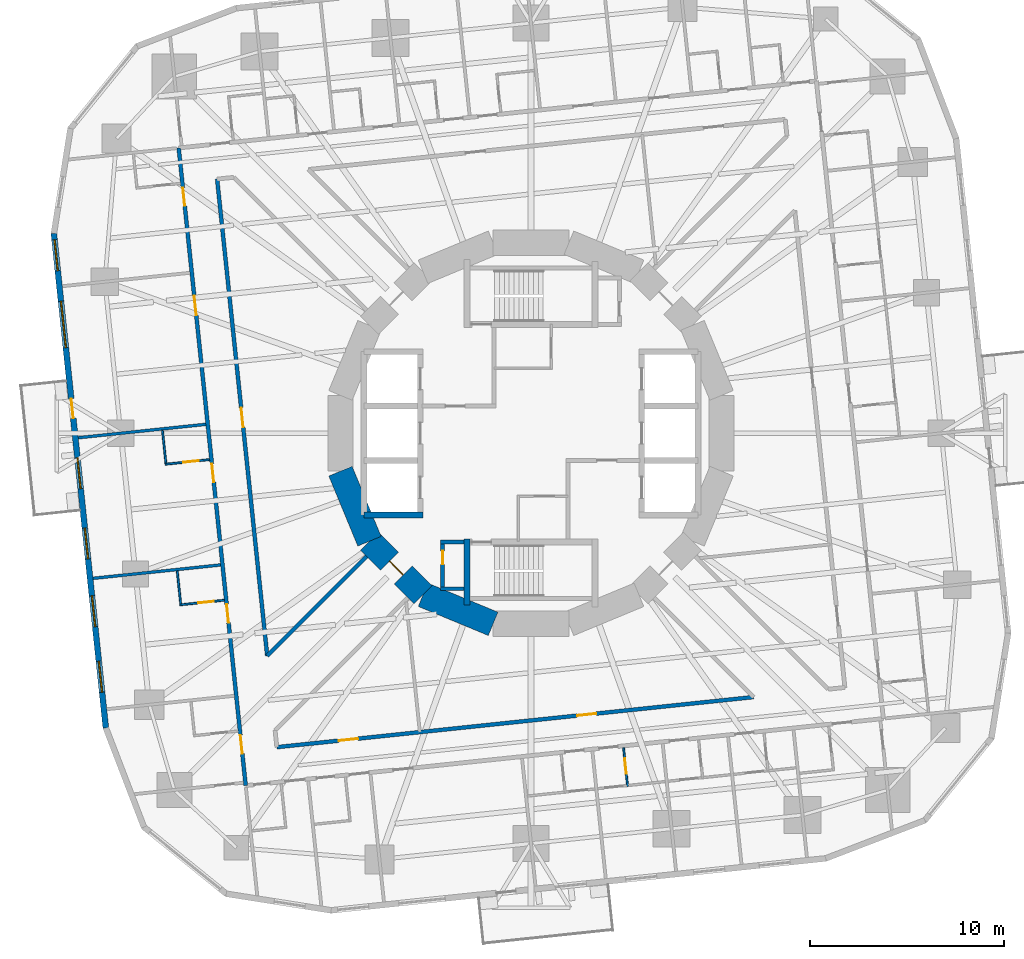
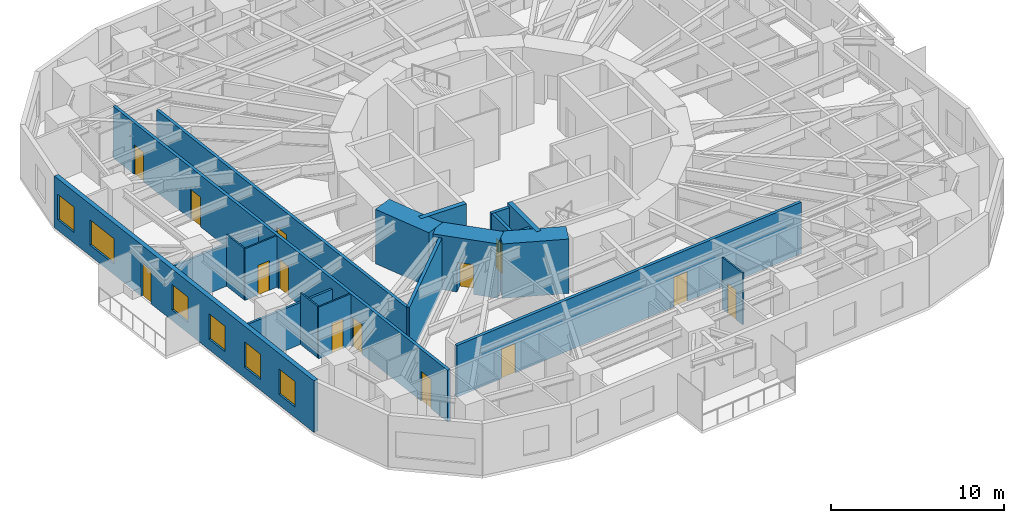
# One storey, part 6 of 13: 20 walls, 14 doors, 6 windows, 20 openings.
"""IFC4 building model written with IfcOpenShell, lengths in metres."""

from ifc_helpers import new_model, si_unit, direction, frame, frame_2d, origin, place, context, subcontext, project, spatial, rectangle, extrude, material, layer, layer_set, type_object, element, fill, save


model = new_model("IFC4")

# Units and contexts
model_context = context("Model", 3, precision=1e-05, world=origin(), true_north=direction((0.0, 1.0)))
body_context = subcontext(model_context, "Body", "Model", "MODEL_VIEW")
ifc_project = project(units=[si_unit("LENGTHUNIT", "METRE"), si_unit("AREAUNIT", "SQUARE_METRE"), si_unit("VOLUMEUNIT", "CUBIC_METRE"), si_unit("PLANEANGLEUNIT", "RADIAN"), si_unit("MASSUNIT", "GRAM", prefix="KILO")], contexts=[model_context])

# Site, building, storey
site_placement = place(None, origin())
site = spatial("IfcSite", under=ifc_project, at=site_placement, CompositionType="ELEMENT")
building_placement = place(site_placement, origin())
building = spatial("IfcBuilding", under=site, at=building_placement, Name="Nakasero Lantern House", CompositionType="ELEMENT")
storey_placement = place(building_placement, frame((0.0, 0.0, 75.89990234375)))
storey = spatial("IfcBuildingStorey", under=building, at=storey_placement, Name="L18", CompositionType="ELEMENT", Elevation=75.89990234375)

# Walls
ifc_material_1 = material(Name="Concrete C50/60", Category="concrete")
ifc_layer_1 = layer(ifc_material_1, 0.300048828125)
ifc_layer_set_1 = layer_set([ifc_layer_1], Name="Core inner wall 300")
wall_type_1 = type_object("IfcWallType", Name="Core inner wall 300", PredefinedType="SHEAR", material=ifc_layer_set_1)
wall_1_placement = place(storey_placement, frame((-8.60009765625, -4.199951171875, 0.0), z_axis=(0.0, 0.0, 1.0), x_axis=(1.0, 0.0, 0.0)))
element("IfcWall", 1, at=wall_1_placement, inside=storey, type_object=wall_type_1, Name="Core inner wall L18 LWS", PredefinedType="SHEAR", context=body_context, shape_type="SweptSolid", body=[
    extrude(rectangle(XDim=3.050048828125, YDim=0.300048828125, at=frame_2d((1.52490234375, 0.0))), origin(), (0.0, 0.0, 1.0), 3.85009765625),
])
wall_2_placement = place(storey_placement, frame((-3.300048828125, -5.449951171875, 0.0), z_axis=(0.0, 0.0, 1.0), x_axis=(0.0, -1.0, 0.0)))
element("IfcWall", 2, at=wall_2_placement, inside=storey, type_object=wall_type_1, Name="Core inner wall L18 SSW", PredefinedType="SHEAR", context=body_context, shape_type="SweptSolid", body=[
    extrude(rectangle(XDim=3.400146484375, YDim=0.300048828125, at=frame_2d((1.7001953125, 0.0))), origin(), (0.0, 0.0, 1.0), 3.85009765625),
])
ifc_material_2 = material(Name="Concrete C50/60", Category="concrete")
ifc_layer_2 = layer(ifc_material_2, 1.300048828125)
ifc_layer_set_2 = layer_set([ifc_layer_2], Name="Core wall 1300")
wall_type_2 = type_object("IfcWallType", Name="Core wall 1300", PredefinedType="SHEAR", material=ifc_layer_set_2)
wall_3_placement = place(storey_placement, frame((-9.807861328125, -1.950927734375, 0.0), z_axis=(0.0, 0.0, 1.0), x_axis=(0.382690736062, -0.923876507187, 0.0)))
element("IfcWall", 3, at=wall_3_placement, inside=storey, type_object=wall_type_2, Name="Core wall L18 facet 9", PredefinedType="SHEAR", context=body_context, shape_type="SweptSolid", body=[
    extrude(rectangle(XDim=3.90185546875, YDim=1.300048828125, at=frame_2d((1.950927734375, 0.0))), origin(), (0.0, 0.0, 1.0), 3.85009765625),
])

# Wall, opening, door
wall_4_placement = place(storey_placement, frame((-8.314697265625, -5.5556640625, 0.0), z_axis=(0.0, 0.0, 1.0), x_axis=(0.707106781187, -0.707106781187, 0.0)))
wall_4 = element("IfcWall", 4, at=wall_4_placement, inside=storey, type_object=wall_type_2, Name="Core wall L18 facet 10", PredefinedType="SHEAR", context=body_context, shape_type="SweptSolid", body=[
    extrude(rectangle(XDim=3.90185546875, YDim=1.300048828125, at=frame_2d((1.950927734375, 0.0))), origin(), (0.0, 0.0, 1.0), 3.85009765625),
])
opening_1_placement = place(wall_4_placement, frame((1.450927734375, 0.0, 0.0)))
opening_1 = element("IfcOpeningElement", 5, at=opening_1_placement, cuts=wall_4, Name="Opening D05", PredefinedType="OPENING", context=body_context, shape_type="SweptSolid", body=[
    extrude(rectangle(XDim=1.0, YDim=2.10009765625, at=frame_2d((0.5, 1.050048828125))), frame((0.0, 0.669921875, 0.0), z_axis=(0.0, -1.0, 0.0), x_axis=(1.0, 0.0, 0.0)), (0.0, 0.0, 1.0), 1.340087890625),
])
ifc_material_3 = material(Name="Timber C24", Category="wood")
door_type_1 = type_object("IfcDoorType", Name="Core door FD60S 1000", OperationType="SINGLE_SWING_LEFT", PredefinedType="DOOR", material=ifc_material_3)
door_1_placement = place(opening_1_placement, origin())
door_1 = element("IfcDoor", 6, at=door_1_placement, inside=storey, type_object=door_type_1, Name="Door L18 D-CORE10", OperationType="SINGLE_SWING_LEFT", OverallHeight=2.10009765625, OverallWidth=1.0, PredefinedType="DOOR", context=body_context, shape_type="SweptSolid", body=[
    extrude(rectangle(XDim=1.0, YDim=2.10009765625, at=frame_2d((0.5, 1.050048828125))), frame((0.0, 0.02490234375, 0.0), z_axis=(0.0, -1.0, 0.0), x_axis=(1.0, 0.0, 0.0)), (0.0, 0.0, 1.0), 0.050048828125),
])
fill(opening_1, door_1)

# Wall
wall_5_placement = place(storey_placement, frame((-5.5556640625, -8.314697265625, 0.0), z_axis=(0.0, 0.0, 1.0), x_axis=(0.923876507187, -0.382690736062, 0.0)))
element("IfcWall", 7, at=wall_5_placement, inside=storey, type_object=wall_type_2, Name="Core wall L18 facet 11", PredefinedType="SHEAR", context=body_context, shape_type="SweptSolid", body=[
    extrude(rectangle(XDim=3.90185546875, YDim=1.300048828125, at=frame_2d((1.950927734375, 0.0))), origin(), (0.0, 0.0, 1.0), 3.85009765625),
])

# Wall, openings, doors
ifc_material_4 = material(Name="Blockwork", Category="masonry")
ifc_layer_3 = layer(ifc_material_4, 0.199951171875)
ifc_layer_set_3 = layer_set([ifc_layer_3], Name="Corridor wall 200")
wall_type_3 = type_object("IfcWallType", Name="Corridor wall 200", PredefinedType="PARTITIONING", material=ifc_layer_set_3)
wall_6_placement = place(storey_placement, frame((-18.13427734375, 14.684814453125, 0.0), z_axis=(0.0, 0.0, 1.0), x_axis=(0.10452958258, -0.994521777723, 0.0)))
wall_6 = element("IfcWall", 8, at=wall_6_placement, inside=storey, type_object=wall_type_3, Name="Corridor wall L18 CW2", PredefinedType="PARTITIONING", context=body_context, shape_type="SweptSolid", body=[
    extrude(rectangle(XDim=32.999755859375, YDim=0.199951171875, at=frame_2d((16.5, 0.0))), origin(), (0.0, 0.0, 1.0), 3.650146484375),
])
opening_2_placement = place(wall_6_placement, frame((2.050048828125, 0.0, 0.0)))
opening_2 = element("IfcOpeningElement", 9, at=opening_2_placement, cuts=wall_6, Name="Opening D01", PredefinedType="OPENING", context=body_context, shape_type="SweptSolid", body=[
    extrude(rectangle(XDim=0.949951171875, YDim=2.10009765625, at=frame_2d((0.47509765625, 1.050048828125))), frame((0.0, 0.119873046875, 0.0), z_axis=(0.0, -1.0, 0.0), x_axis=(1.0, 0.0, 0.0)), (0.0, 0.0, 1.0), 0.239990234375),
])
opening_3_placement = place(wall_6_placement, frame((16.3427734375, 0.0, 0.0)))
opening_3 = element("IfcOpeningElement", 10, at=opening_3_placement, cuts=wall_6, Name="Opening D01", PredefinedType="OPENING", context=body_context, shape_type="SweptSolid", body=[
    extrude(rectangle(XDim=0.949951171875, YDim=2.10009765625, at=frame_2d((0.47509765625, 1.050048828125))), frame((0.0, 0.119873046875, 0.0), z_axis=(0.0, -1.0, 0.0), x_axis=(1.0, 0.0, 0.0)), (0.0, 0.0, 1.0), 0.239990234375),
])
opening_4_placement = place(wall_6_placement, frame((23.6201171875, 0.0, 0.0)))
opening_4 = element("IfcOpeningElement", 11, at=opening_4_placement, cuts=wall_6, Name="Opening D01", PredefinedType="OPENING", context=body_context, shape_type="SweptSolid", body=[
    extrude(rectangle(XDim=0.949951171875, YDim=2.10009765625, at=frame_2d((0.47509765625, 1.050048828125))), frame((0.0, 0.119873046875, 0.0), z_axis=(0.0, -1.0, 0.0), x_axis=(1.0, 0.0, 0.0)), (0.0, 0.0, 1.0), 0.239990234375),
])
opening_5_placement = place(wall_6_placement, frame((30.39111328125, 0.0, 0.0)))
opening_5 = element("IfcOpeningElement", 12, at=opening_5_placement, cuts=wall_6, Name="Opening D01", PredefinedType="OPENING", context=body_context, shape_type="SweptSolid", body=[
    extrude(rectangle(XDim=0.949951171875, YDim=2.10009765625, at=frame_2d((0.47509765625, 1.050048828125))), frame((0.0, 0.119873046875, 0.0), z_axis=(0.0, -1.0, 0.0), x_axis=(1.0, 0.0, 0.0)), (0.0, 0.0, 1.0), 0.239990234375),
])
opening_6_placement = place(wall_6_placement, frame((7.650634765625, 0.0, 0.0)))
opening_6 = element("IfcOpeningElement", 13, at=opening_6_placement, cuts=wall_6, Name="Opening D03", PredefinedType="OPENING", context=body_context, shape_type="SweptSolid", body=[
    extrude(rectangle(XDim=1.0, YDim=2.10009765625, at=frame_2d((0.5, 1.050048828125))), frame((0.0, 0.119873046875, 0.0), z_axis=(0.0, -1.0, 0.0), x_axis=(1.0, 0.0, 0.0)), (0.0, 0.0, 1.0), 0.239990234375),
])
ifc_material_5 = material(Name="Timber C24", Category="wood")
door_type_2 = type_object("IfcDoorType", Name="Bedroom door FD30S 950", OperationType="SINGLE_SWING_LEFT", PredefinedType="DOOR", material=ifc_material_5)
door_2_placement = place(opening_2_placement, origin())
door_2 = element("IfcDoor", 14, at=door_2_placement, inside=storey, type_object=door_type_2, Name="Door L18 D2-00", OperationType="SINGLE_SWING_LEFT", OverallHeight=2.10009765625, OverallWidth=0.949951171875, PredefinedType="DOOR", context=body_context, shape_type="SweptSolid", body=[
    extrude(rectangle(XDim=0.949951171875, YDim=2.10009765625, at=frame_2d((0.47509765625, 1.050048828125))), frame((0.0, 0.02490234375, 0.0), z_axis=(0.0, -1.0, 0.0), x_axis=(1.0, 0.0, 0.0)), (0.0, 0.0, 1.0), 0.050048828125),
])
fill(opening_2, door_2)
door_3_placement = place(opening_3_placement, origin())
door_3 = element("IfcDoor", 15, at=door_3_placement, inside=storey, type_object=door_type_2, Name="Door L18 D2-04", OperationType="SINGLE_SWING_RIGHT", OverallHeight=2.10009765625, OverallWidth=0.949951171875, PredefinedType="DOOR", context=body_context, shape_type="SweptSolid", body=[
    extrude(rectangle(XDim=0.949951171875, YDim=2.10009765625, at=frame_2d((0.47509765625, 1.050048828125))), frame((0.0, 0.02490234375, 0.0), z_axis=(0.0, -1.0, 0.0), x_axis=(1.0, 0.0, 0.0)), (0.0, 0.0, 1.0), 0.050048828125),
])
fill(opening_3, door_3)
door_4_placement = place(opening_4_placement, origin())
door_4 = element("IfcDoor", 16, at=door_4_placement, inside=storey, type_object=door_type_2, Name="Door L18 D2-06", OperationType="SINGLE_SWING_RIGHT", OverallHeight=2.10009765625, OverallWidth=0.949951171875, PredefinedType="DOOR", context=body_context, shape_type="SweptSolid", body=[
    extrude(rectangle(XDim=0.949951171875, YDim=2.10009765625, at=frame_2d((0.47509765625, 1.050048828125))), frame((0.0, 0.02490234375, 0.0), z_axis=(0.0, -1.0, 0.0), x_axis=(1.0, 0.0, 0.0)), (0.0, 0.0, 1.0), 0.050048828125),
])
fill(opening_4, door_4)
door_5_placement = place(opening_5_placement, origin())
door_5 = element("IfcDoor", 17, at=door_5_placement, inside=storey, type_object=door_type_2, Name="Door L18 D2-08", OperationType="SINGLE_SWING_RIGHT", OverallHeight=2.10009765625, OverallWidth=0.949951171875, PredefinedType="DOOR", context=body_context, shape_type="SweptSolid", body=[
    extrude(rectangle(XDim=0.949951171875, YDim=2.10009765625, at=frame_2d((0.47509765625, 1.050048828125))), frame((0.0, 0.02490234375, 0.0), z_axis=(0.0, -1.0, 0.0), x_axis=(1.0, 0.0, 0.0)), (0.0, 0.0, 1.0), 0.050048828125),
])
fill(opening_5, door_5)
ifc_material_6 = material(Name="Timber C24", Category="wood")
door_type_3 = type_object("IfcDoorType", Name="Lounge door FD30S 1000", OperationType="SINGLE_SWING_LEFT", PredefinedType="DOOR", material=ifc_material_6)
door_6_placement = place(opening_6_placement, origin())
door_6 = element("IfcDoor", 18, at=door_6_placement, inside=storey, type_object=door_type_3, Name="Door L18 DK2", OperationType="SINGLE_SWING_LEFT", OverallHeight=2.10009765625, OverallWidth=1.0, PredefinedType="DOOR", context=body_context, shape_type="SweptSolid", body=[
    extrude(rectangle(XDim=1.0, YDim=2.10009765625, at=frame_2d((0.5, 1.050048828125))), frame((0.0, 0.02490234375, 0.0), z_axis=(0.0, -1.0, 0.0), x_axis=(1.0, 0.0, 0.0)), (0.0, 0.0, 1.0), 0.050048828125),
])
fill(opening_6, door_6)

# Wall, opening, door
wall_7_placement = place(storey_placement, frame((-16.156005859375, 13.0830078125, 0.0), z_axis=(0.0, 0.0, 1.0), x_axis=(0.104528202096, -0.994521922819, 0.0)))
wall_7 = element("IfcWall", 19, at=wall_7_placement, inside=storey, type_object=wall_type_3, Name="Corridor wall L18 IW2-0", PredefinedType="PARTITIONING", context=body_context, shape_type="SweptSolid", body=[
    extrude(rectangle(XDim=24.673828125, YDim=0.199951171875, at=frame_2d((12.3369140625, 0.0))), origin(), (0.0, 0.0, 1.0), 3.650146484375),
])
opening_7_placement = place(wall_7_placement, frame((11.8369140625, 0.0, 0.0)))
opening_7 = element("IfcOpeningElement", 20, at=opening_7_placement, cuts=wall_7, Name="Opening D07", PredefinedType="OPENING", context=body_context, shape_type="SweptSolid", body=[
    extrude(rectangle(XDim=1.0, YDim=2.10009765625, at=frame_2d((0.5, 1.050048828125))), frame((0.0, 0.119873046875, 0.0), z_axis=(0.0, -1.0, 0.0), x_axis=(1.0, 0.0, 0.0)), (0.0, 0.0, 1.0), 0.239990234375),
])
ifc_material_7 = material(Name="Timber C24", Category="wood")
door_type_4 = type_object("IfcDoorType", Name="Room door FD30S 1000", OperationType="SINGLE_SWING_LEFT", PredefinedType="DOOR", material=ifc_material_7)
door_7_placement = place(opening_7_placement, origin())
door_7 = element("IfcDoor", 21, at=door_7_placement, inside=storey, type_object=door_type_4, Name="Door L18 DI4", OperationType="SINGLE_SWING_RIGHT", OverallHeight=2.10009765625, OverallWidth=1.0, PredefinedType="DOOR", context=body_context, shape_type="SweptSolid", body=[
    extrude(rectangle(XDim=1.0, YDim=2.10009765625, at=frame_2d((0.5, 1.050048828125))), frame((0.0, 0.02490234375, 0.0), z_axis=(0.0, -1.0, 0.0), x_axis=(1.0, 0.0, 0.0)), (0.0, 0.0, 1.0), 0.050048828125),
])
fill(opening_7, door_7)

# Wall, openings, doors
wall_8_placement = place(storey_placement, frame((-13.0830078125, -16.156005859375, 0.0), z_axis=(0.0, 0.0, 1.0), x_axis=(0.994521922819, 0.104528202096, 0.0)))
wall_8 = element("IfcWall", 22, at=wall_8_placement, inside=storey, type_object=wall_type_3, Name="Corridor wall L18 IW3-0", PredefinedType="PARTITIONING", context=body_context, shape_type="SweptSolid", body=[
    extrude(rectangle(XDim=24.673828125, YDim=0.199951171875, at=frame_2d((12.3369140625, 0.0))), origin(), (0.0, 0.0, 1.0), 3.650146484375),
])
opening_8_placement = place(wall_8_placement, frame((3.201171875, 0.0, 0.0)))
opening_8 = element("IfcOpeningElement", 23, at=opening_8_placement, cuts=wall_8, Name="Opening D07", PredefinedType="OPENING", context=body_context, shape_type="SweptSolid", body=[
    extrude(rectangle(XDim=1.0, YDim=2.10009765625, at=frame_2d((0.5, 1.050048828125))), frame((0.0, 0.119873046875, 0.0), z_axis=(0.0, -1.0, 0.0), x_axis=(1.0, 0.0, 0.0)), (0.0, 0.0, 1.0), 0.239990234375),
])
opening_9_placement = place(wall_8_placement, frame((15.537841796875, 0.0, 0.0)))
opening_9 = element("IfcOpeningElement", 24, at=opening_9_placement, cuts=wall_8, Name="Opening D07", PredefinedType="OPENING", context=body_context, shape_type="SweptSolid", body=[
    extrude(rectangle(XDim=1.0, YDim=2.10009765625, at=frame_2d((0.5, 1.050048828125))), frame((0.0, 0.119873046875, 0.0), z_axis=(0.0, -1.0, 0.0), x_axis=(1.0, 0.0, 0.0)), (0.0, 0.0, 1.0), 0.239990234375),
])
door_8_placement = place(opening_8_placement, origin())
door_8 = element("IfcDoor", 25, at=door_8_placement, inside=storey, type_object=door_type_4, Name="Door L18 DI2", OperationType="SINGLE_SWING_LEFT", OverallHeight=2.10009765625, OverallWidth=1.0, PredefinedType="DOOR", context=body_context, shape_type="SweptSolid", body=[
    extrude(rectangle(XDim=1.0, YDim=2.10009765625, at=frame_2d((0.5, 1.050048828125))), frame((0.0, 0.02490234375, 0.0), z_axis=(0.0, -1.0, 0.0), x_axis=(1.0, 0.0, 0.0)), (0.0, 0.0, 1.0), 0.050048828125),
])
fill(opening_8, door_8)
door_9_placement = place(opening_9_placement, origin())
door_9 = element("IfcDoor", 26, at=door_9_placement, inside=storey, type_object=door_type_4, Name="Door L18 DI2S", OperationType="SINGLE_SWING_RIGHT", OverallHeight=2.10009765625, OverallWidth=1.0, PredefinedType="DOOR", context=body_context, shape_type="SweptSolid", body=[
    extrude(rectangle(XDim=1.0, YDim=2.10009765625, at=frame_2d((0.5, 1.050048828125))), frame((0.0, 0.02490234375, 0.0), z_axis=(0.0, -1.0, 0.0), x_axis=(1.0, 0.0, 0.0)), (0.0, 0.0, 1.0), 0.050048828125),
])
fill(opening_9, door_9)

# Wall
wall_9_placement = place(storey_placement, frame((-8.45556640625, -6.334228515625, 0.0), z_axis=(0.0, 0.0, 1.0), x_axis=(-0.707106781187, -0.707106781187, 0.0)))
element("IfcWall", 27, at=wall_9_placement, inside=storey, type_object=wall_type_3, Name="Corridor wall L18 PS10b", PredefinedType="PARTITIONING", context=body_context, shape_type="SweptSolid", body=[
    extrude(rectangle(XDim=7.24267578125, YDim=0.199951171875, at=frame_2d((3.621337890625, 0.0))), origin(), (0.0, 0.0, 1.0), 3.650146484375),
])

# Wall, opening, door
ifc_material_8 = material(Name="Blockwork", Category="masonry")
ifc_layer_4 = layer(ifc_material_8, 0.10009765625)
ifc_layer_set_4 = layer_set([ifc_layer_4], Name="En-suite wall 100")
wall_type_4 = type_object("IfcWallType", Name="En-suite wall 100", PredefinedType="PARTITIONING", material=ifc_layer_set_4)
wall_10_placement = place(storey_placement, frame((-16.549072265625, -1.35498046875, 0.0), z_axis=(0.0, 0.0, 1.0), x_axis=(-0.994518822602, -0.104557694553, 0.0)))
wall_10 = element("IfcWall", 28, at=wall_10_placement, inside=storey, type_object=wall_type_4, Name="En-suite wall L18 ES2-04", PredefinedType="PARTITIONING", context=body_context, shape_type="SweptSolid", body=[
    extrude(rectangle(XDim=2.300048828125, YDim=0.10009765625, at=frame_2d((1.14990234375, 0.0))), origin(), (0.0, 0.0, 1.0), 3.650146484375),
])
opening_10_placement = place(wall_10_placement, frame((0.550048828125, 0.0, 0.0)))
opening_10 = element("IfcOpeningElement", 29, at=opening_10_placement, cuts=wall_10, Name="Opening D02", PredefinedType="OPENING", context=body_context, shape_type="SweptSolid", body=[
    extrude(rectangle(XDim=0.800048828125, YDim=2.10009765625, at=frame_2d((0.39990234375, 1.050048828125))), frame((0.0, 0.070068359375, 0.0), z_axis=(0.0, -1.0, 0.0), x_axis=(1.0, 0.0, 0.0)), (0.0, 0.0, 1.0), 0.14013671875),
])
ifc_material_9 = material(Name="Timber C24", Category="wood")
door_type_5 = type_object("IfcDoorType", Name="En-suite door 800", OperationType="SINGLE_SWING_RIGHT", PredefinedType="DOOR", material=ifc_material_9)
door_10_placement = place(opening_10_placement, origin())
door_10 = element("IfcDoor", 30, at=door_10_placement, inside=storey, type_object=door_type_5, Name="Door L18 DE2-04", OperationType="SINGLE_SWING_LEFT", OverallHeight=2.10009765625, OverallWidth=0.800048828125, PredefinedType="DOOR", context=body_context, shape_type="SweptSolid", body=[
    extrude(rectangle(XDim=0.800048828125, YDim=2.10009765625, at=frame_2d((0.39990234375, 1.050048828125))), frame((0.0, 0.02490234375, 0.0), z_axis=(0.0, -1.0, 0.0), x_axis=(1.0, 0.0, 0.0)), (0.0, 0.0, 1.0), 0.050048828125),
])
fill(opening_10, door_10)

# Wall
wall_11_placement = place(storey_placement, frame((-18.9697265625, 0.150146484375, 0.0), z_axis=(0.0, 0.0, 1.0), x_axis=(0.104550220202, -0.994519608382, 0.0)))
element("IfcWall", 31, at=wall_11_placement, inside=storey, type_object=wall_type_4, Name="En-suite wall L18 EE2-04", PredefinedType="PARTITIONING", context=body_context, shape_type="SweptSolid", body=[
    extrude(rectangle(XDim=1.699951171875, YDim=0.10009765625, at=frame_2d((0.85009765625, 0.0))), origin(), (0.0, 0.0, 1.0), 3.650146484375),
])

# Wall, opening, door
wall_12_placement = place(storey_placement, frame((-15.788330078125, -8.592529296875, 0.0), z_axis=(0.0, 0.0, 1.0), x_axis=(-0.994529855142, -0.104452703326, 0.0)))
wall_12 = element("IfcWall", 32, at=wall_12_placement, inside=storey, type_object=wall_type_4, Name="En-suite wall L18 ES2-06", PredefinedType="PARTITIONING", context=body_context, shape_type="SweptSolid", body=[
    extrude(rectangle(XDim=2.300048828125, YDim=0.10009765625, at=frame_2d((1.14990234375, 0.0))), origin(), (0.0, 0.0, 1.0), 3.650146484375),
])
opening_11_placement = place(wall_12_placement, frame((0.550048828125, 0.0, 0.0)))
opening_11 = element("IfcOpeningElement", 33, at=opening_11_placement, cuts=wall_12, Name="Opening D02", PredefinedType="OPENING", context=body_context, shape_type="SweptSolid", body=[
    extrude(rectangle(XDim=0.800048828125, YDim=2.10009765625, at=frame_2d((0.39990234375, 1.050048828125))), frame((0.0, 0.070068359375, 0.0), z_axis=(0.0, -1.0, 0.0), x_axis=(1.0, 0.0, 0.0)), (0.0, 0.0, 1.0), 0.14013671875),
])
door_11_placement = place(opening_11_placement, origin())
door_11 = element("IfcDoor", 34, at=door_11_placement, inside=storey, type_object=door_type_5, Name="Door L18 DE2-06", OperationType="SINGLE_SWING_LEFT", OverallHeight=2.10009765625, OverallWidth=0.800048828125, PredefinedType="DOOR", context=body_context, shape_type="SweptSolid", body=[
    extrude(rectangle(XDim=0.800048828125, YDim=2.10009765625, at=frame_2d((0.39990234375, 1.050048828125))), frame((0.0, 0.02490234375, 0.0), z_axis=(0.0, -1.0, 0.0), x_axis=(1.0, 0.0, 0.0)), (0.0, 0.0, 1.0), 0.050048828125),
])
fill(opening_11, door_11)

# Wall
wall_13_placement = place(storey_placement, frame((-18.208984375, -7.087158203125, 0.0), z_axis=(0.0, 0.0, 1.0), x_axis=(0.104550220202, -0.994519608382, 0.0)))
element("IfcWall", 35, at=wall_13_placement, inside=storey, type_object=wall_type_4, Name="En-suite wall L18 EE2-06", PredefinedType="PARTITIONING", context=body_context, shape_type="SweptSolid", body=[
    extrude(rectangle(XDim=1.699951171875, YDim=0.10009765625, at=frame_2d((0.85009765625, 0.0))), origin(), (0.0, 0.0, 1.0), 3.650146484375),
])

# Wall, opening, door
wall_14_placement = place(storey_placement, frame((4.763427734375, -16.190673828125, 0.0), z_axis=(0.0, 0.0, 1.0), x_axis=(0.104602187203, -0.994514143908, 0.0)))
wall_14 = element("IfcWall", 36, at=wall_14_placement, inside=storey, type_object=wall_type_4, Name="En-suite wall L18 ES3-05", PredefinedType="PARTITIONING", context=body_context, shape_type="SweptSolid", body=[
    extrude(rectangle(XDim=2.000244140625, YDim=0.10009765625, at=frame_2d((1.0, 0.0))), origin(), (0.0, 0.0, 1.0), 3.650146484375),
])
opening_12_placement = place(wall_14_placement, frame((0.550048828125, 0.0, 0.0)))
opening_12 = element("IfcOpeningElement", 37, at=opening_12_placement, cuts=wall_14, Name="Opening D02", PredefinedType="OPENING", context=body_context, shape_type="SweptSolid", body=[
    extrude(rectangle(XDim=0.800048828125, YDim=2.10009765625, at=frame_2d((0.39990234375, 1.050048828125))), frame((0.0, 0.070068359375, 0.0), z_axis=(0.0, -1.0, 0.0), x_axis=(1.0, 0.0, 0.0)), (0.0, 0.0, 1.0), 0.14013671875),
])
door_12_placement = place(opening_12_placement, origin())
door_12 = element("IfcDoor", 38, at=door_12_placement, inside=storey, type_object=door_type_5, Name="Door L18 DE3-05", OperationType="SINGLE_SWING_LEFT", OverallHeight=2.10009765625, OverallWidth=0.800048828125, PredefinedType="DOOR", context=body_context, shape_type="SweptSolid", body=[
    extrude(rectangle(XDim=0.800048828125, YDim=2.10009765625, at=frame_2d((0.39990234375, 1.050048828125))), frame((0.0, 0.02490234375, 0.0), z_axis=(0.0, -1.0, 0.0), x_axis=(1.0, 0.0, 0.0)), (0.0, 0.0, 1.0), 0.050048828125),
])
fill(opening_12, door_12)

# Wall, openings, door, windows
ifc_material_10 = material(Name="Aluminium rainscreen on blockwork", Category="masonry")
ifc_layer_5 = layer(ifc_material_10, 0.300048828125)
ifc_layer_set_5 = layer_set([ifc_layer_5], Name="Facade wall 300")
wall_type_5 = type_object("IfcWallType", Name="Facade wall 300", PredefinedType="SOLIDWALL", material=ifc_layer_set_5)
wall_15_placement = place(storey_placement, frame((-24.56005859375, 10.2890625, 0.0), z_axis=(0.0, 0.0, 1.0), x_axis=(0.104532378096, -0.994521483895, 0.0)))
wall_15 = element("IfcWall", 39, at=wall_15_placement, inside=storey, type_object=wall_type_5, Name="Facade wall L18 FW2S", PredefinedType="SOLIDWALL", context=body_context, shape_type="SweptSolid", body=[
    extrude(rectangle(XDim=25.599853515625, YDim=0.300048828125, at=frame_2d((12.7998046875, 0.0))), origin(), (0.0, 0.0, 1.0), 3.650146484375),
])
opening_13_placement = place(wall_15_placement, frame((0.337890625, 0.0, 0.75)))
opening_13 = element("IfcOpeningElement", 40, at=opening_13_placement, cuts=wall_15, Name="Opening W01", PredefinedType="OPENING", context=body_context, shape_type="SweptSolid", body=[
    extrude(rectangle(XDim=1.60009765625, YDim=1.800048828125, at=frame_2d((0.800048828125, 0.89990234375))), frame((0.0, 0.169921875, 0.0), z_axis=(0.0, -1.0, 0.0), x_axis=(1.0, 0.0, 0.0)), (0.0, 0.0, 1.0), 0.340087890625),
])
opening_14_placement = place(wall_15_placement, frame((11.612060546875, 0.0, 0.75)))
opening_14 = element("IfcOpeningElement", 41, at=opening_14_placement, cuts=wall_15, Name="Opening W01", PredefinedType="OPENING", context=body_context, shape_type="SweptSolid", body=[
    extrude(rectangle(XDim=1.60009765625, YDim=1.800048828125, at=frame_2d((0.800048828125, 0.89990234375))), frame((0.0, 0.169921875, 0.0), z_axis=(0.0, -1.0, 0.0), x_axis=(1.0, 0.0, 0.0)), (0.0, 0.0, 1.0), 0.340087890625),
])
opening_15_placement = place(wall_15_placement, frame((15.250732421875, 0.0, 0.75)))
opening_15 = element("IfcOpeningElement", 42, at=opening_15_placement, cuts=wall_15, Name="Opening W01", PredefinedType="OPENING", context=body_context, shape_type="SweptSolid", body=[
    extrude(rectangle(XDim=1.60009765625, YDim=1.800048828125, at=frame_2d((0.800048828125, 0.89990234375))), frame((0.0, 0.169921875, 0.0), z_axis=(0.0, -1.0, 0.0), x_axis=(1.0, 0.0, 0.0)), (0.0, 0.0, 1.0), 0.340087890625),
])
opening_16_placement = place(wall_15_placement, frame((18.7626953125, 0.0, 0.75)))
opening_16 = element("IfcOpeningElement", 43, at=opening_16_placement, cuts=wall_15, Name="Opening W01", PredefinedType="OPENING", context=body_context, shape_type="SweptSolid", body=[
    extrude(rectangle(XDim=1.60009765625, YDim=1.800048828125, at=frame_2d((0.800048828125, 0.89990234375))), frame((0.0, 0.169921875, 0.0), z_axis=(0.0, -1.0, 0.0), x_axis=(1.0, 0.0, 0.0)), (0.0, 0.0, 1.0), 0.340087890625),
])
opening_17_placement = place(wall_15_placement, frame((22.1484375, 0.0, 0.75)))
opening_17 = element("IfcOpeningElement", 44, at=opening_17_placement, cuts=wall_15, Name="Opening W01", PredefinedType="OPENING", context=body_context, shape_type="SweptSolid", body=[
    extrude(rectangle(XDim=1.60009765625, YDim=1.800048828125, at=frame_2d((0.800048828125, 0.89990234375))), frame((0.0, 0.169921875, 0.0), z_axis=(0.0, -1.0, 0.0), x_axis=(1.0, 0.0, 0.0)), (0.0, 0.0, 1.0), 0.340087890625),
])
opening_18_placement = place(wall_15_placement, frame((3.51123046875, 0.0, 0.75)))
opening_18 = element("IfcOpeningElement", 45, at=opening_18_placement, cuts=wall_15, Name="Opening W03", PredefinedType="OPENING", context=body_context, shape_type="SweptSolid", body=[
    extrude(rectangle(XDim=2.39990234375, YDim=1.800048828125, at=frame_2d((1.199951171875, 0.89990234375))), frame((0.0, 0.169921875, 0.0), z_axis=(0.0, -1.0, 0.0), x_axis=(1.0, 0.0, 0.0)), (0.0, 0.0, 1.0), 0.340087890625),
])
opening_19_placement = place(wall_15_placement, frame((8.558837890625, 0.0, 0.0)))
opening_19 = element("IfcOpeningElement", 46, at=opening_19_placement, cuts=wall_15, Name="Opening D04", PredefinedType="OPENING", context=body_context, shape_type="SweptSolid", body=[
    extrude(rectangle(XDim=1.0, YDim=2.39990234375, at=frame_2d((0.5, 1.199951171875))), frame((0.0, 0.169921875, 0.0), z_axis=(0.0, -1.0, 0.0), x_axis=(1.0, 0.0, 0.0)), (0.0, 0.0, 1.0), 0.340087890625),
])
ifc_material_11 = material(Name="Aluminium 6063-T6 and glass", Category="aluminium")
door_type_6 = type_object("IfcDoorType", Name="Balcony door 1000x2400", OperationType="SINGLE_SWING_RIGHT", PredefinedType="DOOR", material=ifc_material_11)
door_13_placement = place(opening_19_placement, origin())
door_13 = element("IfcDoor", 47, at=door_13_placement, inside=storey, type_object=door_type_6, Name="Balcony door L18 DB2", OperationType="SINGLE_SWING_RIGHT", OverallHeight=2.39990234375, OverallWidth=1.0, PredefinedType="DOOR", context=body_context, shape_type="SweptSolid", body=[
    extrude(rectangle(XDim=1.0, YDim=2.39990234375, at=frame_2d((0.5, 1.199951171875))), frame((0.0, 0.02490234375, 0.0), z_axis=(0.0, -1.0, 0.0), x_axis=(1.0, 0.0, 0.0)), (0.0, 0.0, 1.0), 0.050048828125),
])
fill(opening_19, door_13)
ifc_material_12 = material(Name="Aluminium 6063-T6 and glass", Category="aluminium")
window_type_1 = type_object("IfcWindowType", Name="Bedroom window 1600x1800", PartitioningType="SINGLE_PANEL", PredefinedType="WINDOW", material=ifc_material_12)
window_1_placement = place(opening_13_placement, origin())
window_1 = element("IfcWindow", 48, at=window_1_placement, inside=storey, type_object=window_type_1, Name="Window L18 WN2-01", OverallHeight=1.800048828125, OverallWidth=1.60009765625, PartitioningType="SINGLE_PANEL", PredefinedType="WINDOW", context=body_context, shape_type="SweptSolid", body=[
    extrude(rectangle(XDim=1.60009765625, YDim=1.800048828125, at=frame_2d((0.800048828125, 0.89990234375))), frame((0.0, 0.030029296875, 0.0), z_axis=(0.0, -1.0, 0.0), x_axis=(1.0, 0.0, 0.0)), (0.0, 0.0, 1.0), 0.06005859375),
])
fill(opening_13, window_1)
window_2_placement = place(opening_14_placement, origin())
window_2 = element("IfcWindow", 49, at=window_2_placement, inside=storey, type_object=window_type_1, Name="Window L18 WN2-04", OverallHeight=1.800048828125, OverallWidth=1.60009765625, PartitioningType="SINGLE_PANEL", PredefinedType="WINDOW", context=body_context, shape_type="SweptSolid", body=[
    extrude(rectangle(XDim=1.60009765625, YDim=1.800048828125, at=frame_2d((0.800048828125, 0.89990234375))), frame((0.0, 0.030029296875, 0.0), z_axis=(0.0, -1.0, 0.0), x_axis=(1.0, 0.0, 0.0)), (0.0, 0.0, 1.0), 0.06005859375),
])
fill(opening_14, window_2)
window_3_placement = place(opening_15_placement, origin())
window_3 = element("IfcWindow", 50, at=window_3_placement, inside=storey, type_object=window_type_1, Name="Window L18 WN2-05", OverallHeight=1.800048828125, OverallWidth=1.60009765625, PartitioningType="SINGLE_PANEL", PredefinedType="WINDOW", context=body_context, shape_type="SweptSolid", body=[
    extrude(rectangle(XDim=1.60009765625, YDim=1.800048828125, at=frame_2d((0.800048828125, 0.89990234375))), frame((0.0, 0.030029296875, 0.0), z_axis=(0.0, -1.0, 0.0), x_axis=(1.0, 0.0, 0.0)), (0.0, 0.0, 1.0), 0.06005859375),
])
fill(opening_15, window_3)
window_4_placement = place(opening_16_placement, origin())
window_4 = element("IfcWindow", 51, at=window_4_placement, inside=storey, type_object=window_type_1, Name="Window L18 WN2-06", OverallHeight=1.800048828125, OverallWidth=1.60009765625, PartitioningType="SINGLE_PANEL", PredefinedType="WINDOW", context=body_context, shape_type="SweptSolid", body=[
    extrude(rectangle(XDim=1.60009765625, YDim=1.800048828125, at=frame_2d((0.800048828125, 0.89990234375))), frame((0.0, 0.030029296875, 0.0), z_axis=(0.0, -1.0, 0.0), x_axis=(1.0, 0.0, 0.0)), (0.0, 0.0, 1.0), 0.06005859375),
])
fill(opening_16, window_4)
window_5_placement = place(opening_17_placement, origin())
window_5 = element("IfcWindow", 52, at=window_5_placement, inside=storey, type_object=window_type_1, Name="Window L18 WN2-07", OverallHeight=1.800048828125, OverallWidth=1.60009765625, PartitioningType="SINGLE_PANEL", PredefinedType="WINDOW", context=body_context, shape_type="SweptSolid", body=[
    extrude(rectangle(XDim=1.60009765625, YDim=1.800048828125, at=frame_2d((0.800048828125, 0.89990234375))), frame((0.0, 0.030029296875, 0.0), z_axis=(0.0, -1.0, 0.0), x_axis=(1.0, 0.0, 0.0)), (0.0, 0.0, 1.0), 0.06005859375),
])
fill(opening_17, window_5)
ifc_material_13 = material(Name="Aluminium 6063-T6 and glass", Category="aluminium")
window_type_2 = type_object("IfcWindowType", Name="Lounge window 2400x1800", PartitioningType="SINGLE_PANEL", PredefinedType="WINDOW", material=ifc_material_13)
window_6_placement = place(opening_18_placement, origin())
window_6 = element("IfcWindow", 53, at=window_6_placement, inside=storey, type_object=window_type_2, Name="Window L18 WK2", OverallHeight=1.800048828125, OverallWidth=2.39990234375, PartitioningType="SINGLE_PANEL", PredefinedType="WINDOW", context=body_context, shape_type="SweptSolid", body=[
    extrude(rectangle(XDim=2.39990234375, YDim=1.800048828125, at=frame_2d((1.199951171875, 0.89990234375))), frame((0.0, 0.030029296875, 0.0), z_axis=(0.0, -1.0, 0.0), x_axis=(1.0, 0.0, 0.0)), (0.0, 0.0, 1.0), 0.06005859375),
])
fill(opening_18, window_6)

# Wall, opening, door
ifc_material_14 = material(Name="Blockwork", Category="masonry")
ifc_layer_6 = layer(ifc_material_14, 0.199951171875)
ifc_layer_set_6 = layer_set([ifc_layer_6], Name="Fire lobby wall 200")
wall_type_6 = type_object("IfcWallType", Name="Fire lobby wall 200", PredefinedType="PARTITIONING", material=ifc_layer_set_6)
wall_16_placement = place(storey_placement, frame((-4.550048828125, -5.60009765625, 0.0), z_axis=(0.0, 0.0, 1.0), x_axis=(0.0, -1.0, 0.0)))
wall_16 = element("IfcWall", 54, at=wall_16_placement, inside=storey, type_object=wall_type_6, Name="Fire lobby wall L18 W-RS2W", PredefinedType="PARTITIONING", context=body_context, shape_type="SweptSolid", body=[
    extrude(rectangle(XDim=2.39990234375, YDim=0.199951171875, at=frame_2d((1.199951171875, 0.0))), origin(), (0.0, 0.0, 1.0), 3.650146484375),
])
opening_20_placement = place(wall_16_placement, frame((0.449951171875, 0.0, 0.0)))
opening_20 = element("IfcOpeningElement", 55, at=opening_20_placement, cuts=wall_16, Name="Opening D06", PredefinedType="OPENING", context=body_context, shape_type="SweptSolid", body=[
    extrude(rectangle(XDim=0.699951171875, YDim=2.10009765625, at=frame_2d((0.35009765625, 1.050048828125))), frame((0.0, 0.119873046875, 0.0), z_axis=(0.0, -1.0, 0.0), x_axis=(1.0, 0.0, 0.0)), (0.0, 0.0, 1.0), 0.239990234375),
])
ifc_material_15 = material(Name="Steel S355", Category="steel")
door_type_7 = type_object("IfcDoorType", Name="Riser door FD60 700", OperationType="SINGLE_SWING_LEFT", PredefinedType="DOOR", material=ifc_material_15)
door_14_placement = place(opening_20_placement, origin())
door_14 = element("IfcDoor", 56, at=door_14_placement, inside=storey, type_object=door_type_7, Name="Door L18 D-RS2", OperationType="SINGLE_SWING_LEFT", OverallHeight=2.10009765625, OverallWidth=0.699951171875, PredefinedType="DOOR", context=body_context, shape_type="SweptSolid", body=[
    extrude(rectangle(XDim=0.699951171875, YDim=2.10009765625, at=frame_2d((0.35009765625, 1.050048828125))), frame((0.0, 0.02490234375, 0.0), z_axis=(0.0, -1.0, 0.0), x_axis=(1.0, 0.0, 0.0)), (0.0, 0.0, 1.0), 0.050048828125),
])
fill(opening_20, door_14)

# Walls
for number, where, z_axis, x_axis, name in (
    (57, (-3.449951171875, -8.0, 0.0), (0.0, 0.0, 1.0), (-1.0, 0.0, 0.0), "Fire lobby wall L18 W-RS2S"),
    (58, (-3.449951171875, -5.60009765625, 0.0), (0.0, 0.0, 1.0), (-1.0, 0.0, 0.0), "Fire lobby wall L18 W-RS2N"),
):
    element("IfcWall", number, at=place(storey_placement, frame(where, z_axis=z_axis, x_axis=x_axis)), inside=storey, type_object=wall_type_6, Name=name, PredefinedType="PARTITIONING", context=body_context, shape_type="SweptSolid", body=[
        extrude(rectangle(XDim=1.199951171875, YDim=0.199951171875, at=frame_2d((0.60009765625, 0.0))), origin(), (0.0, 0.0, 1.0), 3.650146484375),
    ])
ifc_material_16 = material(Name="Blockwork", Category="masonry")
ifc_layer_7 = layer(ifc_material_16, 0.14990234375)
ifc_layer_set_7 = layer_set([ifc_layer_7], Name="Party wall 150")
wall_type_7 = type_object("IfcWallType", Name="Party wall 150", PredefinedType="PARTITIONING", material=ifc_layer_set_7)
for number, where, z_axis, x_axis, name in (
    (59, (-16.73974609375, 0.4599609375, 0.0), (0.0, 0.0, 1.0), (-0.994521251134, -0.104534592565, 0.0), "Party wall L18 PW2-04"),
    (60, (-15.97900390625, -6.77734375, 0.0), (0.0, 0.0, 1.0), (-0.994521251134, -0.104534592565, 0.0), "Party wall L18 PW2-06"),
):
    element("IfcWall", number, at=place(storey_placement, frame(where, z_axis=z_axis, x_axis=x_axis)), inside=storey, type_object=wall_type_7, Name=name, PredefinedType="PARTITIONING", context=body_context, shape_type="SweptSolid", body=[
        extrude(rectangle(XDim=6.60009765625, YDim=0.14990234375, at=frame_2d((3.300048828125, 0.0))), origin(), (0.0, 0.0, 1.0), 2.966552734375),
    ])

save(model, "model.ifc")
